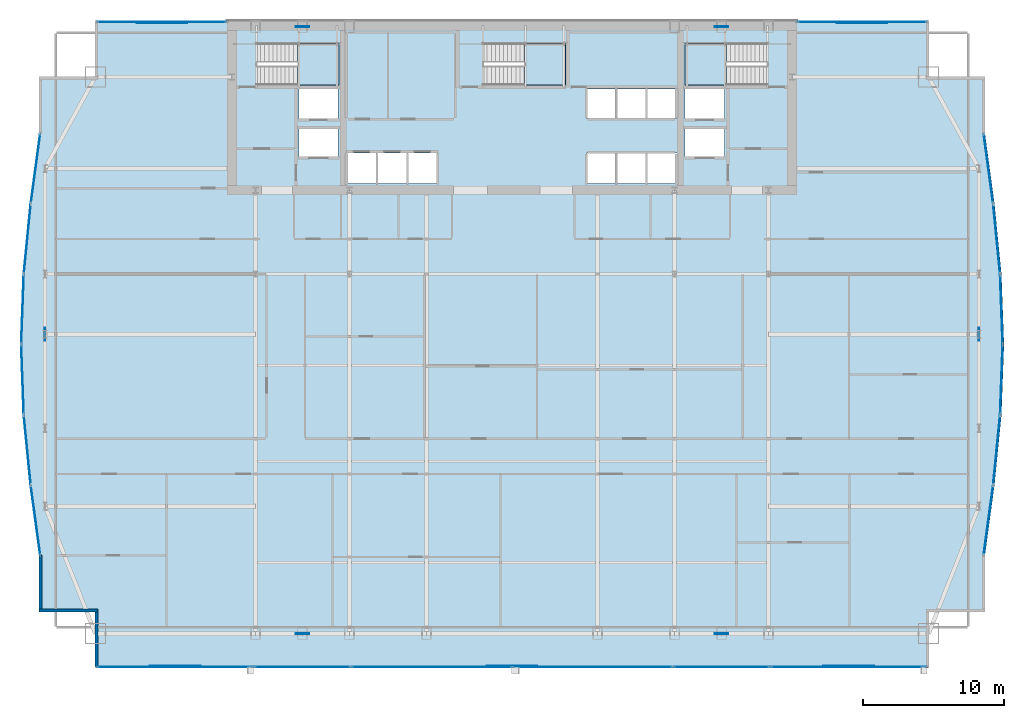
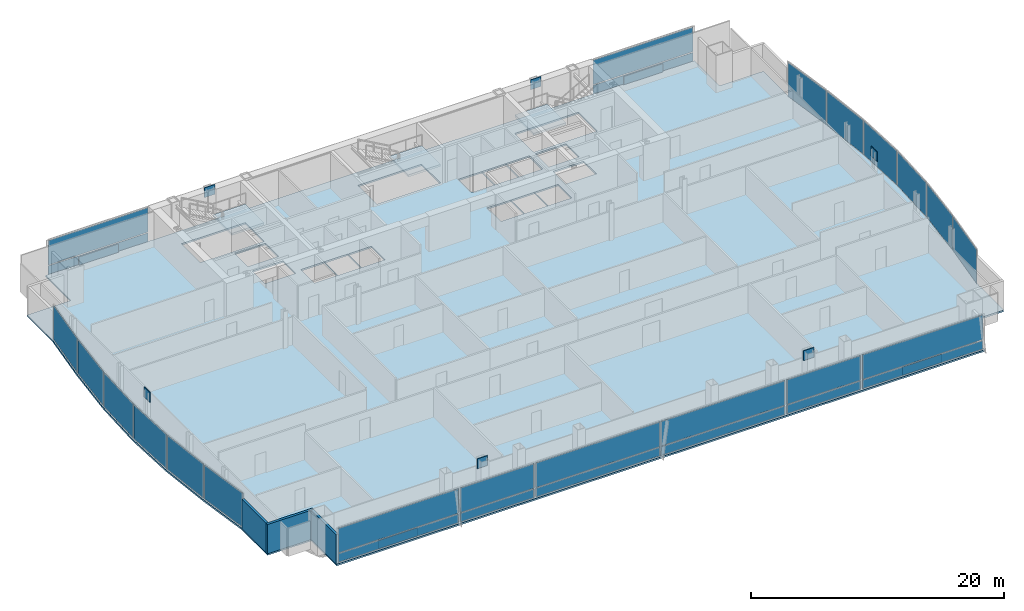
# One storey, part 25 of 32: 39 plates, 4 slabs, 3 walls, 22 elements without a shape of their own.
"""IFC4 building model written with IfcOpenShell, lengths in metres."""

from ifc_helpers import new_model, si_unit, direction, frame, frame_2d, origin, origin_2d, place, context, subcontext, project, spatial, polyline, rectangle, outline, extrude, material, layer, layer_set, type_object, element, aggregate, save


model = new_model("IFC4")

# Units and contexts
model_context = context("Model", 3, precision=1e-05, world=origin(), true_north=direction((0.0, 1.0)))
body_context = subcontext(model_context, "Body", "Model", "MODEL_VIEW")
ifc_project = project(units=[si_unit("LENGTHUNIT", "METRE"), si_unit("AREAUNIT", "SQUARE_METRE"), si_unit("VOLUMEUNIT", "CUBIC_METRE"), si_unit("PLANEANGLEUNIT", "RADIAN"), si_unit("MASSUNIT", "GRAM", prefix="KILO")], contexts=[model_context])

# Site, building, storey
site_placement = place(None, origin())
site = spatial("IfcSite", under=ifc_project, at=site_placement, CompositionType="ELEMENT")
building_placement = place(site_placement, origin())
building = spatial("IfcBuilding", under=site, at=building_placement, Name="Khoronbel Lancet Exchange", CompositionType="ELEMENT")
storey_placement = place(building_placement, frame((0.0, 0.0, 125.39990234375)))
storey = spatial("IfcBuildingStorey", under=building, at=storey_placement, Name="L30", CompositionType="ELEMENT", Elevation=125.39990234375)

# Curtain wall, plate
ifc_material_1 = material(Name="Low-E Solar Control Insulating Glass", Category="glass")
curtain_wall_type_1 = type_object("IfcCurtainWallType", Name="CW-4", PredefinedType="NOTDEFINED", material=ifc_material_1)
curtain_wall_1_placement = place(storey_placement, origin())
curtain_wall_1 = element("IfcCurtainWall", 1, at=curtain_wall_1_placement, inside=storey, type_object=curtain_wall_type_1, Name="Unitised curtain wall CW-L30-E05", PredefinedType="NOTDEFINED")
ifc_material_2 = material(Name="Bronze-Anodised Aluminium 6063-T6", Category="aluminium")
ifc_layer_1 = layer(ifc_material_2, 0.050048828125, Name="Bronze-Anodised Aluminium 6063-T6")
ifc_layer_set_1 = layer_set([ifc_layer_1], Name="Bronze-Anodised Aluminium 6063-T6")
plate_type_1 = type_object("IfcPlateType", Name="PLT-CSP1", PredefinedType="SHEET", material=ifc_layer_set_1)
plate_1_placement = place(storey_placement, frame((2.013916015625, 23.208251953125, 0.085205078125), z_axis=(0.0, 0.0, 1.0), x_axis=(-0.098742398922, 0.99511302808, 0.0)))
plate_1 = element("IfcPlate", 2, at=plate_1_placement, type_object=plate_type_1, Name="CW4 panel 1.1", PredefinedType="CURTAIN_PANEL", context=body_context, shape_type="SweptSolid", body=[
    extrude(rectangle(XDim=4.8701171875, YDim=0.0380859375, at=origin_2d()), origin(), (0.0, 0.0, 1.0), 3.27001953125),
])
aggregate(curtain_wall_1, [plate_1])

curtain_wall_2_placement = place(storey_placement, origin())
curtain_wall_2 = element("IfcCurtainWall", 3, at=curtain_wall_2_placement, inside=storey, type_object=curtain_wall_type_1, Name="Unitised curtain wall CW-L30-E06", PredefinedType="NOTDEFINED")
plate_2_placement = place(storey_placement, frame((1.67529296875, 28.203125, 0.085205078125), z_axis=(0.0, 0.0, 1.0), x_axis=(-0.036280390298, 0.999341649928, 0.0)))
plate_2 = element("IfcPlate", 4, at=plate_2_placement, type_object=plate_type_1, Name="CW4 panel 1.1", PredefinedType="CURTAIN_PANEL", context=body_context, shape_type="SweptSolid", body=[
    extrude(rectangle(XDim=4.84716796875, YDim=0.0380859375, at=origin_2d()), origin(), (0.0, 0.0, 1.0), 3.27001953125),
])
aggregate(curtain_wall_2, [plate_2])

curtain_wall_3_placement = place(storey_placement, origin())
curtain_wall_3 = element("IfcCurtainWall", 5, at=curtain_wall_3_placement, inside=storey, type_object=curtain_wall_type_1, Name="Unitised curtain wall CW-L30-E07", PredefinedType="NOTDEFINED")
plate_3_placement = place(storey_placement, frame((1.67529296875, 33.197021484375, 0.085205078125), z_axis=(0.0, 0.0, 1.0), x_axis=(0.036280390298, 0.999341649928, 0.0)))
plate_3 = element("IfcPlate", 6, at=plate_3_placement, type_object=plate_type_1, Name="CW4 panel 1.1", PredefinedType="CURTAIN_PANEL", context=body_context, shape_type="SweptSolid", body=[
    extrude(rectangle(XDim=4.84716796875, YDim=0.0380859375, at=origin_2d()), origin(), (0.0, 0.0, 1.0), 3.27001953125),
])
aggregate(curtain_wall_3, [plate_3])

curtain_wall_4_placement = place(storey_placement, origin())
curtain_wall_4 = element("IfcCurtainWall", 7, at=curtain_wall_4_placement, inside=storey, type_object=curtain_wall_type_1, Name="Unitised curtain wall CW-L30-E08", PredefinedType="NOTDEFINED")
plate_4_placement = place(storey_placement, frame((2.013916015625, 38.191650390625, 0.085205078125), z_axis=(0.0, 0.0, 1.0), x_axis=(0.098742398922, 0.99511302808, 0.0)))
plate_4 = element("IfcPlate", 8, at=plate_4_placement, type_object=plate_type_1, Name="CW4 panel 1.1", PredefinedType="CURTAIN_PANEL", context=body_context, shape_type="SweptSolid", body=[
    extrude(rectangle(XDim=4.8701171875, YDim=0.0380859375, at=origin_2d()), origin(), (0.0, 0.0, 1.0), 3.27001953125),
])
aggregate(curtain_wall_4, [plate_4])

curtain_wall_type_2 = type_object("IfcCurtainWallType", Name="CW-2", PredefinedType="NOTDEFINED", material=ifc_material_1)
curtain_wall_5_placement = place(storey_placement, origin())
curtain_wall_5 = element("IfcCurtainWall", 9, at=curtain_wall_5_placement, inside=storey, type_object=curtain_wall_type_2, Name="Unitised curtain wall CW-L30-NWFLK", PredefinedType="NOTDEFINED")
plate_5_placement = place(storey_placement, frame((11.580078125, 53.550048828125, 0.05029296875), z_axis=(0.0, 0.0, 1.0), x_axis=(-1.0, 0.0, 0.0)))
plate_5 = element("IfcPlate", 10, at=plate_5_placement, type_object=plate_type_1, Name="Insulated bronze spandrel cassette CW-L30-NWFLK", PredefinedType="SHEET", context=body_context, shape_type="SweptSolid", body=[
    extrude(rectangle(XDim=3.60009765625, YDim=0.050048828125, at=origin_2d()), origin(), (0.0, 0.0, 1.0), 0.800048828125),
])

curtain_wall_6_placement = place(storey_placement, origin())
curtain_wall_6 = element("IfcCurtainWall", 11, at=curtain_wall_6_placement, inside=storey, type_object=curtain_wall_type_2, Name="Unitised curtain wall CW-L30-NEFLK", PredefinedType="NOTDEFINED")
plate_6_placement = place(storey_placement, frame((61.320068359375, 53.550048828125, 0.05029296875), z_axis=(0.0, 0.0, 1.0), x_axis=(-1.0, 0.0, 0.0)))
plate_6 = element("IfcPlate", 12, at=plate_6_placement, type_object=plate_type_1, Name="Insulated bronze spandrel cassette CW-L30-NEFLK", PredefinedType="SHEET", context=body_context, shape_type="SweptSolid", body=[
    extrude(rectangle(XDim=3.60009765625, YDim=0.050048828125, at=origin_2d()), origin(), (0.0, 0.0, 1.0), 0.800048828125),
])

curtain_wall_7_placement = place(storey_placement, origin())
curtain_wall_7 = element("IfcCurtainWall", 13, at=curtain_wall_7_placement, inside=storey, type_object=curtain_wall_type_1, Name="Unitised curtain wall CW-L30-E18", PredefinedType="NOTDEFINED")
plate_7_placement = place(storey_placement, frame((70.88623046875, 38.191650390625, 0.085205078125), z_axis=(0.0, 0.0, 1.0), x_axis=(0.098742398922, -0.99511302808, 0.0)))
plate_7 = element("IfcPlate", 14, at=plate_7_placement, type_object=plate_type_1, Name="CW4 panel 1.1", PredefinedType="CURTAIN_PANEL", context=body_context, shape_type="SweptSolid", body=[
    extrude(rectangle(XDim=4.8701171875, YDim=0.0380859375, at=origin_2d()), origin(), (0.0, 0.0, 1.0), 3.27001953125),
])
aggregate(curtain_wall_7, [plate_7])

curtain_wall_8_placement = place(storey_placement, origin())
curtain_wall_8 = element("IfcCurtainWall", 15, at=curtain_wall_8_placement, inside=storey, type_object=curtain_wall_type_1, Name="Unitised curtain wall CW-L30-E19", PredefinedType="NOTDEFINED")
plate_8_placement = place(storey_placement, frame((71.224609375, 33.197021484375, 0.085205078125), z_axis=(0.0, 0.0, 1.0), x_axis=(0.036280390298, -0.999341649928, 0.0)))
plate_8 = element("IfcPlate", 16, at=plate_8_placement, type_object=plate_type_1, Name="CW4 panel 1.1", PredefinedType="CURTAIN_PANEL", context=body_context, shape_type="SweptSolid", body=[
    extrude(rectangle(XDim=4.84716796875, YDim=0.0380859375, at=origin_2d()), origin(), (0.0, 0.0, 1.0), 3.27001953125),
])
aggregate(curtain_wall_8, [plate_8])

curtain_wall_9_placement = place(storey_placement, origin())
curtain_wall_9 = element("IfcCurtainWall", 17, at=curtain_wall_9_placement, inside=storey, type_object=curtain_wall_type_1, Name="Unitised curtain wall CW-L30-E20", PredefinedType="NOTDEFINED")
plate_9_placement = place(storey_placement, frame((71.224609375, 28.203125, 0.085205078125), z_axis=(0.0, 0.0, 1.0), x_axis=(-0.036280390298, -0.999341649928, 0.0)))
plate_9 = element("IfcPlate", 18, at=plate_9_placement, type_object=plate_type_1, Name="CW4 panel 1.1", PredefinedType="CURTAIN_PANEL", context=body_context, shape_type="SweptSolid", body=[
    extrude(rectangle(XDim=4.84716796875, YDim=0.0380859375, at=origin_2d()), origin(), (0.0, 0.0, 1.0), 3.27001953125),
])
aggregate(curtain_wall_9, [plate_9])

curtain_wall_10_placement = place(storey_placement, origin())
curtain_wall_10 = element("IfcCurtainWall", 19, at=curtain_wall_10_placement, inside=storey, type_object=curtain_wall_type_1, Name="Unitised curtain wall CW-L30-E21", PredefinedType="NOTDEFINED")
plate_10_placement = place(storey_placement, frame((70.88623046875, 23.208251953125, 0.085205078125), z_axis=(0.0, 0.0, 1.0), x_axis=(-0.098742398922, -0.99511302808, 0.0)))
plate_10 = element("IfcPlate", 20, at=plate_10_placement, type_object=plate_type_1, Name="CW4 panel 1.1", PredefinedType="CURTAIN_PANEL", context=body_context, shape_type="SweptSolid", body=[
    extrude(rectangle(XDim=4.8701171875, YDim=0.0380859375, at=origin_2d()), origin(), (0.0, 0.0, 1.0), 3.27001953125),
])
aggregate(curtain_wall_10, [plate_10])

curtain_wall_11_placement = place(storey_placement, origin())
curtain_wall_11 = element("IfcCurtainWall", 21, at=curtain_wall_11_placement, inside=storey, type_object=curtain_wall_type_2, Name="Unitised curtain wall CW-L30-SWV", PredefinedType="NOTDEFINED")
plate_11_placement = place(storey_placement, frame((12.52001953125, 7.85009765625, 0.05029296875), z_axis=(0.0, 0.0, 1.0), x_axis=(1.0, 0.0, 0.0)))
plate_11 = element("IfcPlate", 22, at=plate_11_placement, type_object=plate_type_1, Name="Insulated bronze spandrel cassette CW-L30-SWV", PredefinedType="SHEET", context=body_context, shape_type="SweptSolid", body=[
    extrude(rectangle(XDim=3.60009765625, YDim=0.050048828125, at=origin_2d()), origin(), (0.0, 0.0, 1.0), 0.800048828125),
])

# Curtain wall, plates
curtain_wall_12_placement = place(storey_placement, origin())
curtain_wall_12 = element("IfcCurtainWall", 23, at=curtain_wall_12_placement, inside=storey, type_object=curtain_wall_type_2, Name="Unitised curtain wall CW-L30-SWB", PredefinedType="NOTDEFINED")
plate_12_placement = place(storey_placement, frame((21.550048828125, 7.7900390625, 0.0849609375), z_axis=(0.0, 0.0, 1.0), x_axis=(1.0, 0.0, 0.0)))
plate_12 = element("IfcPlate", 24, at=plate_12_placement, type_object=plate_type_1, Name="CW2 panel 1.1", PredefinedType="CURTAIN_PANEL", context=body_context, shape_type="SweptSolid", body=[
    extrude(rectangle(XDim=6.72998046875, YDim=0.0380859375, at=origin_2d()), origin(), (0.0, 0.0, 1.0), 0.822509765625),
])
plate_13_placement = place(storey_placement, frame((21.550048828125, 7.7900390625, 0.99267578125), z_axis=(0.0, 0.0, 1.0), x_axis=(1.0, 0.0, 0.0)))
plate_13 = element("IfcPlate", 25, at=plate_13_placement, type_object=plate_type_1, Name="CW2 panel 1.2", PredefinedType="CURTAIN_PANEL", context=body_context, shape_type="SweptSolid", body=[
    extrude(rectangle(XDim=6.72998046875, YDim=0.0380859375, at=origin_2d()), origin(), (0.0, 0.0, 1.0), 2.362548828125),
])
aggregate(curtain_wall_12, [plate_12, plate_13])

# Curtain wall, plate
curtain_wall_13_placement = place(storey_placement, origin())
curtain_wall_13 = element("IfcCurtainWall", 26, at=curtain_wall_13_placement, inside=storey, type_object=curtain_wall_type_2, Name="Unitised curtain wall CW-L30-SCV", PredefinedType="NOTDEFINED")
plate_14_placement = place(storey_placement, frame((36.449951171875, 7.85009765625, 0.05029296875), z_axis=(0.0, 0.0, 1.0), x_axis=(1.0, 0.0, 0.0)))
plate_14 = element("IfcPlate", 27, at=plate_14_placement, type_object=plate_type_1, Name="Insulated bronze spandrel cassette CW-L30-SCV", PredefinedType="SHEET", context=body_context, shape_type="SweptSolid", body=[
    extrude(rectangle(XDim=3.60009765625, YDim=0.050048828125, at=origin_2d()), origin(), (0.0, 0.0, 1.0), 0.800048828125),
])

# Curtain wall, plates
curtain_wall_14_placement = place(storey_placement, origin())
curtain_wall_14 = element("IfcCurtainWall", 28, at=curtain_wall_14_placement, inside=storey, type_object=curtain_wall_type_2, Name="Unitised curtain wall CW-L30-SEB", PredefinedType="NOTDEFINED")
plate_15_placement = place(storey_placement, frame((51.35009765625, 7.7900390625, 0.0849609375), z_axis=(0.0, 0.0, 1.0), x_axis=(1.0, 0.0, 0.0)))
plate_15 = element("IfcPlate", 29, at=plate_15_placement, type_object=plate_type_1, Name="CW2 panel 1.1", PredefinedType="CURTAIN_PANEL", context=body_context, shape_type="SweptSolid", body=[
    extrude(rectangle(XDim=6.72998046875, YDim=0.0380859375, at=origin_2d()), origin(), (0.0, 0.0, 1.0), 0.822509765625),
])
plate_16_placement = place(storey_placement, frame((51.35009765625, 7.7900390625, 0.99267578125), z_axis=(0.0, 0.0, 1.0), x_axis=(1.0, 0.0, 0.0)))
plate_16 = element("IfcPlate", 30, at=plate_16_placement, type_object=plate_type_1, Name="CW2 panel 1.2", PredefinedType="CURTAIN_PANEL", context=body_context, shape_type="SweptSolid", body=[
    extrude(rectangle(XDim=6.72998046875, YDim=0.0380859375, at=origin_2d()), origin(), (0.0, 0.0, 1.0), 2.362548828125),
])
aggregate(curtain_wall_14, [plate_15, plate_16])

# Curtain wall, plate
curtain_wall_15_placement = place(storey_placement, origin())
curtain_wall_15 = element("IfcCurtainWall", 31, at=curtain_wall_15_placement, inside=storey, type_object=curtain_wall_type_2, Name="Unitised curtain wall CW-L30-SEV", PredefinedType="NOTDEFINED")
plate_17_placement = place(storey_placement, frame((60.3798828125, 7.85009765625, 0.05029296875), z_axis=(0.0, 0.0, 1.0), x_axis=(1.0, 0.0, 0.0)))
plate_17 = element("IfcPlate", 32, at=plate_17_placement, type_object=plate_type_1, Name="Insulated bronze spandrel cassette CW-L30-SEV", PredefinedType="SHEET", context=body_context, shape_type="SweptSolid", body=[
    extrude(rectangle(XDim=3.60009765625, YDim=0.050048828125, at=origin_2d()), origin(), (0.0, 0.0, 1.0), 0.800048828125),
])

# Plate
ifc_layer_2 = layer(ifc_material_1, 0.035888671875, Name="Low-E Solar Control Insulating Glass")
ifc_layer_set_2 = layer_set([ifc_layer_2], Name="Low-E Solar Control Insulating Glass")
plate_type_2 = type_object("IfcPlateType", Name="PLT-CWP1", PredefinedType="CURTAIN_PANEL", material=ifc_layer_set_2)
plate_18_placement = place(storey_placement, frame((11.580078125, 53.610107421875, 0.0849609375), z_axis=(0.0, 0.0, 1.0), x_axis=(-1.0, 0.0, 0.0)))
plate_18 = element("IfcPlate", 33, at=plate_18_placement, type_object=plate_type_2, Name="CW2 panel 1.1", PredefinedType="CURTAIN_PANEL", context=body_context, shape_type="SweptSolid", body=[
    extrude(rectangle(XDim=9.110107421875, YDim=0.0380859375, at=origin_2d()), origin(), (0.0, 0.0, 1.0), 0.822509765625),
])

plate_19_placement = place(storey_placement, frame((11.580078125, 53.610107421875, 0.99267578125), z_axis=(0.0, 0.0, 1.0), x_axis=(-1.0, 0.0, 0.0)))
plate_19 = element("IfcPlate", 34, at=plate_19_placement, type_object=plate_type_2, Name="CW2 panel 1.2", PredefinedType="CURTAIN_PANEL", context=body_context, shape_type="SweptSolid", body=[
    extrude(rectangle(XDim=9.110107421875, YDim=0.0380859375, at=origin_2d()), origin(), (0.0, 0.0, 1.0), 2.362548828125),
])

aggregate(curtain_wall_5, [plate_18, plate_19, plate_5])

plate_20_placement = place(storey_placement, frame((61.320068359375, 53.610107421875, 0.0849609375), z_axis=(0.0, 0.0, 1.0), x_axis=(-1.0, 0.0, 0.0)))
plate_20 = element("IfcPlate", 35, at=plate_20_placement, type_object=plate_type_2, Name="CW2 panel 1.1", PredefinedType="CURTAIN_PANEL", context=body_context, shape_type="SweptSolid", body=[
    extrude(rectangle(XDim=9.110107421875, YDim=0.0380859375, at=origin_2d()), origin(), (0.0, 0.0, 1.0), 0.822509765625),
])

plate_21_placement = place(storey_placement, frame((61.320068359375, 53.610107421875, 0.99267578125), z_axis=(0.0, 0.0, 1.0), x_axis=(-1.0, 0.0, 0.0)))
plate_21 = element("IfcPlate", 36, at=plate_21_placement, type_object=plate_type_2, Name="CW2 panel 1.2", PredefinedType="CURTAIN_PANEL", context=body_context, shape_type="SweptSolid", body=[
    extrude(rectangle(XDim=9.110107421875, YDim=0.0380859375, at=origin_2d()), origin(), (0.0, 0.0, 1.0), 2.362548828125),
])

aggregate(curtain_wall_6, [plate_20, plate_21, plate_6])

plate_22_placement = place(storey_placement, frame((12.52001953125, 7.7900390625, 0.0849609375), z_axis=(0.0, 0.0, 1.0), x_axis=(1.0, 0.0, 0.0)))
plate_22 = element("IfcPlate", 37, at=plate_22_placement, type_object=plate_type_2, Name="CW2 panel 1.1", PredefinedType="CURTAIN_PANEL", context=body_context, shape_type="SweptSolid", body=[
    extrude(rectangle(XDim=10.989990234375, YDim=0.0380859375, at=origin_2d()), origin(), (0.0, 0.0, 1.0), 0.822509765625),
])

plate_23_placement = place(storey_placement, frame((12.52001953125, 7.7900390625, 0.99267578125), z_axis=(0.0, 0.0, 1.0), x_axis=(1.0, 0.0, 0.0)))
plate_23 = element("IfcPlate", 38, at=plate_23_placement, type_object=plate_type_2, Name="CW2 panel 1.2", PredefinedType="CURTAIN_PANEL", context=body_context, shape_type="SweptSolid", body=[
    extrude(rectangle(XDim=10.989990234375, YDim=0.0380859375, at=origin_2d()), origin(), (0.0, 0.0, 1.0), 2.362548828125),
])

aggregate(curtain_wall_11, [plate_22, plate_23, plate_11])

plate_24_placement = place(storey_placement, frame((30.746337890625, 7.7900390625, 0.0849609375), z_axis=(0.0, 0.0, 1.0), x_axis=(1.0, 0.0, 0.0)))
plate_24 = element("IfcPlate", 39, at=plate_24_placement, type_object=plate_type_2, Name="CW2 panel 1.1", PredefinedType="CURTAIN_PANEL", context=body_context, shape_type="SweptSolid", body=[
    extrude(rectangle(XDim=11.322509765625, YDim=0.0380859375, at=origin_2d()), origin(), (0.0, 0.0, 1.0), 0.822509765625),
])

plate_25_placement = place(storey_placement, frame((30.746337890625, 7.7900390625, 0.99267578125), z_axis=(0.0, 0.0, 1.0), x_axis=(1.0, 0.0, 0.0)))
plate_25 = element("IfcPlate", 40, at=plate_25_placement, type_object=plate_type_2, Name="CW2 panel 1.2", PredefinedType="CURTAIN_PANEL", context=body_context, shape_type="SweptSolid", body=[
    extrude(rectangle(XDim=11.322509765625, YDim=0.0380859375, at=origin_2d()), origin(), (0.0, 0.0, 1.0), 2.362548828125),
])

plate_26_placement = place(storey_placement, frame((42.15380859375, 7.7900390625, 0.0849609375), z_axis=(0.0, 0.0, 1.0), x_axis=(1.0, 0.0, 0.0)))
plate_26 = element("IfcPlate", 41, at=plate_26_placement, type_object=plate_type_2, Name="CW2 panel 2.1", PredefinedType="CURTAIN_PANEL", context=body_context, shape_type="SweptSolid", body=[
    extrude(rectangle(XDim=11.322509765625, YDim=0.0380859375, at=origin_2d()), origin(), (0.0, 0.0, 1.0), 0.822509765625),
])

plate_27_placement = place(storey_placement, frame((42.15380859375, 7.7900390625, 0.99267578125), z_axis=(0.0, 0.0, 1.0), x_axis=(1.0, 0.0, 0.0)))
plate_27 = element("IfcPlate", 42, at=plate_27_placement, type_object=plate_type_2, Name="CW2 panel 2.2", PredefinedType="CURTAIN_PANEL", context=body_context, shape_type="SweptSolid", body=[
    extrude(rectangle(XDim=11.322509765625, YDim=0.0380859375, at=origin_2d()), origin(), (0.0, 0.0, 1.0), 2.362548828125),
])

aggregate(curtain_wall_13, [plate_24, plate_25, plate_26, plate_27, plate_14])

plate_28_placement = place(storey_placement, frame((60.3798828125, 7.7900390625, 0.0849609375), z_axis=(0.0, 0.0, 1.0), x_axis=(1.0, 0.0, 0.0)))
plate_28 = element("IfcPlate", 43, at=plate_28_placement, type_object=plate_type_2, Name="CW2 panel 1.1", PredefinedType="CURTAIN_PANEL", context=body_context, shape_type="SweptSolid", body=[
    extrude(rectangle(XDim=10.989990234375, YDim=0.0380859375, at=origin_2d()), origin(), (0.0, 0.0, 1.0), 0.822509765625),
])

plate_29_placement = place(storey_placement, frame((60.3798828125, 7.7900390625, 0.99267578125), z_axis=(0.0, 0.0, 1.0), x_axis=(1.0, 0.0, 0.0)))
plate_29 = element("IfcPlate", 44, at=plate_29_placement, type_object=plate_type_2, Name="CW2 panel 1.2", PredefinedType="CURTAIN_PANEL", context=body_context, shape_type="SweptSolid", body=[
    extrude(rectangle(XDim=10.989990234375, YDim=0.0380859375, at=origin_2d()), origin(), (0.0, 0.0, 1.0), 2.362548828125),
])

aggregate(curtain_wall_15, [plate_28, plate_29, plate_17])

# Curtain wall, plate
curtain_wall_16_placement = place(storey_placement, origin())
curtain_wall_16 = element("IfcCurtainWall", 45, at=curtain_wall_16_placement, inside=storey, type_object=curtain_wall_type_1, Name="Unitised curtain wall CW-L30-E04", PredefinedType="NOTDEFINED")
ifc_material_3 = material(Name="Ceramic-Fritted Laminated Insulating Glass", Category="glass")
ifc_layer_3 = layer(ifc_material_3, 0.0419921875, Name="Ceramic-Fritted Laminated Insulating Glass")
ifc_layer_set_3 = layer_set([ifc_layer_3], Name="Ceramic-Fritted Laminated Insulating Glass")
plate_type_3 = type_object("IfcPlateType", Name="PLT-CWP2", PredefinedType="CURTAIN_PANEL", material=ifc_layer_set_3)
plate_30_placement = place(storey_placement, frame((2.600830078125, 18.208251953125, 0.085205078125), z_axis=(0.0, 0.0, 1.0), x_axis=(-0.134312591445, 0.990939013148, 0.0)))
plate_30 = element("IfcPlate", 46, at=plate_30_placement, type_object=plate_type_3, Name="CW4 panel 1.1", PredefinedType="CURTAIN_PANEL", context=body_context, shape_type="SweptSolid", body=[
    extrude(rectangle(XDim=4.900146484375, YDim=0.0380859375, at=origin_2d()), origin(), (0.0, 0.0, 1.0), 3.27001953125),
])
aggregate(curtain_wall_16, [plate_30])

curtain_wall_17_placement = place(storey_placement, origin())
curtain_wall_17 = element("IfcCurtainWall", 47, at=curtain_wall_17_placement, inside=storey, type_object=curtain_wall_type_1, Name="Unitised curtain wall CW-L30-E09", PredefinedType="NOTDEFINED")
plate_31_placement = place(storey_placement, frame((2.600830078125, 43.191650390625, 0.085205078125), z_axis=(0.0, 0.0, 1.0), x_axis=(0.134312591445, 0.990939013148, 0.0)))
plate_31 = element("IfcPlate", 48, at=plate_31_placement, type_object=plate_type_3, Name="CW4 panel 1.1", PredefinedType="CURTAIN_PANEL", context=body_context, shape_type="SweptSolid", body=[
    extrude(rectangle(XDim=4.900146484375, YDim=0.0380859375, at=origin_2d()), origin(), (0.0, 0.0, 1.0), 3.27001953125),
])
aggregate(curtain_wall_17, [plate_31])

curtain_wall_18_placement = place(storey_placement, origin())
curtain_wall_18 = element("IfcCurtainWall", 49, at=curtain_wall_18_placement, inside=storey, type_object=curtain_wall_type_1, Name="Unitised curtain wall CW-L30-E17", PredefinedType="NOTDEFINED")
plate_32_placement = place(storey_placement, frame((70.299072265625, 43.191650390625, 0.085205078125), z_axis=(0.0, 0.0, 1.0), x_axis=(0.134312591445, -0.990939013148, 0.0)))
plate_32 = element("IfcPlate", 50, at=plate_32_placement, type_object=plate_type_3, Name="CW4 panel 1.1", PredefinedType="CURTAIN_PANEL", context=body_context, shape_type="SweptSolid", body=[
    extrude(rectangle(XDim=4.900146484375, YDim=0.0380859375, at=origin_2d()), origin(), (0.0, 0.0, 1.0), 3.27001953125),
])
aggregate(curtain_wall_18, [plate_32])

curtain_wall_19_placement = place(storey_placement, origin())
curtain_wall_19 = element("IfcCurtainWall", 51, at=curtain_wall_19_placement, inside=storey, type_object=curtain_wall_type_1, Name="Unitised curtain wall CW-L30-E22", PredefinedType="NOTDEFINED")
plate_33_placement = place(storey_placement, frame((70.299072265625, 18.208251953125, 0.085205078125), z_axis=(0.0, 0.0, 1.0), x_axis=(-0.134312591445, -0.990939013148, 0.0)))
plate_33 = element("IfcPlate", 52, at=plate_33_placement, type_object=plate_type_3, Name="CW4 panel 1.1", PredefinedType="CURTAIN_PANEL", context=body_context, shape_type="SweptSolid", body=[
    extrude(rectangle(XDim=4.900146484375, YDim=0.0380859375, at=origin_2d()), origin(), (0.0, 0.0, 1.0), 3.27001953125),
])
aggregate(curtain_wall_19, [plate_33])

# Plates
ifc_material_4 = material(Name="Steel S460", Category="steel")
ifc_layer_4 = layer(ifc_material_4, 0.06005859375, Name="Steel S460")
ifc_layer_set_4 = layer_set([ifc_layer_4], Name="Steel S460")
plate_type_4 = type_object("IfcPlateType", Name="PLT-ND1", PredefinedType="USERDEFINED", material=ifc_layer_set_4)
for number, where, z_axis, x_axis, name in (
    (53, (21.5625, 10.14990234375, 2.77490234375), (0.0, 0.0, 1.0), (1.0, 0.0, 0.0), "ND1 perimeter brace node gusset T09-S-W"),
    (54, (51.33740234375, 10.14990234375, 2.77490234375), (0.0, 0.0, 1.0), (1.0, 0.0, 0.0), "ND1 perimeter brace node gusset T09-S-E"),
    (55, (21.5625, 53.280029296875, 2.77490234375), (0.0, 0.0, 1.0), (1.0, 0.0, 0.0), "ND1 perimeter brace node gusset T09-N-W"),
    (56, (51.33740234375, 53.280029296875, 2.77490234375), (0.0, 0.0, 1.0), (1.0, 0.0, 0.0), "ND1 perimeter brace node gusset T09-N-E"),
    (57, (3.27001953125, 31.425048828125, 2.77490234375), (0.0, 0.0, 1.0), (0.0, 1.0, 0.0), "ND1 perimeter brace node gusset T09-W-P"),
    (58, (69.6298828125, 31.425048828125, 2.77490234375), (0.0, 0.0, 1.0), (0.0, 1.0, 0.0), "ND1 perimeter brace node gusset T09-E-P"),
):
    element("IfcPlate", number, at=place(storey_placement, frame(where, z_axis=z_axis, x_axis=x_axis)), inside=storey, type_object=plate_type_4, Name=name, ObjectType="GUSSET_PLATE", PredefinedType="USERDEFINED", context=body_context, shape_type="SweptSolid", body=[
        extrude(rectangle(XDim=0.949951171875, YDim=0.06005859375, at=origin_2d()), origin(), (0.0, 0.0, 1.0), 0.949951171875),
    ])

# Slab
ifc_material_5 = material(Name="Concrete C40/50", Category="concrete")
ifc_layer_5 = layer(ifc_material_5, 0.159912109375, Name="Concrete C40/50")
ifc_layer_set_5 = layer_set([ifc_layer_5], Name="Concrete C40/50")
slab_type_1 = type_object("IfcSlabType", Name="SL-FL160", PredefinedType="FLOOR", material=ifc_layer_set_5)
slab_1_placement = place(storey_placement, frame((0.0, 0.0, -0.159912109375)))
element("IfcSlab", 59, at=slab_1_placement, inside=storey, type_object=slab_type_1, Name="Level L30 composite structural floor slab", PredefinedType="FLOOR", context=body_context, shape_type="SweptSolid", body=[
    extrude(outline(polyline([(6.85009765625, 7.699951171875), (66.050048828125, 7.699951171875), (66.050048828125, 11.699951171875), (70.050048828125, 11.699951171875), (70.050048828125, 15.699951171875), (70.727783203125, 20.699951171875), (71.223876953125, 25.699951171875), (71.405517578125, 30.699951171875), (71.223876953125, 35.699951171875), (70.727783203125, 40.699951171875), (70.050048828125, 45.699951171875), (70.050048828125, 49.699951171875), (66.050048828125, 49.699951171875), (66.050048828125, 53.699951171875), (6.85009765625, 53.699951171875), (6.85009765625, 49.699951171875), (2.85009765625, 49.699951171875), (2.85009765625, 45.699951171875), (2.17236328125, 40.699951171875), (1.67626953125, 35.699951171875), (1.49462890625, 30.699951171875), (1.67626953125, 25.699951171875), (2.17236328125, 20.699951171875), (2.85009765625, 15.699951171875), (2.85009765625, 11.699951171875), (6.85009765625, 11.699951171875), (6.85009765625, 7.699951171875)]), holes=[polyline([(18.324951171875, 49.1201171875), (24.14990234375, 49.1201171875), (24.14990234375, 52.10009765625), (18.324951171875, 52.10009765625), (18.324951171875, 49.1201171875)]), polyline([(48.75, 49.1201171875), (54.574951171875, 49.1201171875), (54.574951171875, 52.10009765625), (48.75, 52.10009765625), (48.75, 49.1201171875)]), polyline([(34.425048828125, 49.1201171875), (40.25, 49.1201171875), (40.25, 52.10009765625), (34.425048828125, 52.10009765625), (34.425048828125, 49.1201171875)]), polyline([(24.699951171875, 42.14990234375), (26.840087890625, 42.14990234375), (26.840087890625, 44.300048828125), (24.699951171875, 44.300048828125), (24.699951171875, 42.14990234375)]), polyline([(26.860107421875, 42.14990234375), (29.0, 42.14990234375), (29.0, 44.300048828125), (26.860107421875, 44.300048828125), (26.860107421875, 42.14990234375)]), polyline([(29.02001953125, 42.14990234375), (31.159912109375, 42.14990234375), (31.159912109375, 44.300048828125), (29.02001953125, 44.300048828125), (29.02001953125, 42.14990234375)]), polyline([(41.739990234375, 46.75), (43.8798828125, 46.75), (43.8798828125, 48.85009765625), (41.739990234375, 48.85009765625), (41.739990234375, 46.75)]), polyline([(43.89990234375, 46.75), (46.0400390625, 46.75), (46.0400390625, 48.85009765625), (43.89990234375, 48.85009765625), (43.89990234375, 46.75)]), polyline([(46.06005859375, 46.75), (48.199951171875, 46.75), (48.199951171875, 48.85009765625), (46.06005859375, 48.85009765625), (46.06005859375, 46.75)]), polyline([(41.739990234375, 42.14990234375), (43.8798828125, 42.14990234375), (43.8798828125, 44.300048828125), (41.739990234375, 44.300048828125), (41.739990234375, 42.14990234375)]), polyline([(43.89990234375, 42.14990234375), (46.0400390625, 42.14990234375), (46.0400390625, 44.300048828125), (43.89990234375, 44.300048828125), (43.89990234375, 42.14990234375)]), polyline([(46.06005859375, 42.14990234375), (48.199951171875, 42.14990234375), (48.199951171875, 44.300048828125), (46.06005859375, 44.300048828125), (46.06005859375, 42.14990234375)]), polyline([(21.300048828125, 46.75), (24.10009765625, 46.75), (24.10009765625, 48.85009765625), (21.300048828125, 48.85009765625), (21.300048828125, 46.75)]), polyline([(48.75, 46.75), (51.550048828125, 46.75), (51.550048828125, 48.85009765625), (48.75, 48.85009765625), (48.75, 46.75)]), polyline([(21.300048828125, 44.050048828125), (24.10009765625, 44.050048828125), (24.10009765625, 46.050048828125), (21.300048828125, 46.050048828125), (21.300048828125, 44.050048828125)]), polyline([(48.75, 44.050048828125), (51.550048828125, 44.050048828125), (51.550048828125, 46.050048828125), (48.75, 46.050048828125), (48.75, 44.050048828125)])]), origin(), (0.0, 0.0, 1.0), 0.159912109375),
])

# Stair, slab
stair_type = type_object("IfcStairType", Name="STR-CORE150", PredefinedType="HALF_TURN_STAIR", material=ifc_material_5)
stair_1_placement = place(storey_placement, origin())
stair_1 = element("IfcStair", 60, at=stair_1_placement, inside=storey, type_object=stair_type, Name="L30 Protected Exit Stair ST1", PredefinedType="HALF_TURN_STAIR")
ifc_layer_6 = layer(ifc_material_5, 0.199951171875, Name="Concrete C40/50")
ifc_layer_set_6 = layer_set([ifc_layer_6], Name="Concrete C40/50")
slab_type_2 = type_object("IfcSlabType", Name="SL-LND180", PredefinedType="LANDING", material=ifc_layer_set_6)
slab_2_placement = place(storey_placement, frame((0.0, 0.0, 1.60009765625)))
slab_2 = element("IfcSlab", 61, at=slab_2_placement, type_object=slab_type_2, Name="ST1 landing 1", PredefinedType="LANDING", context=body_context, shape_type="SweptSolid", body=[
    extrude(outline(polyline([(21.199951171875, 49.1201171875), (24.14990234375, 49.1201171875), (24.14990234375, 52.10009765625), (21.199951171875, 52.10009765625), (21.199951171875, 49.1201171875)])), origin(), (0.0, 0.0, 1.0), 0.199951171875),
])
aggregate(stair_1, [slab_2])

stair_2_placement = place(storey_placement, origin())
stair_2 = element("IfcStair", 62, at=stair_2_placement, inside=storey, type_object=stair_type, Name="L30 Protected Exit Stair ST2", PredefinedType="HALF_TURN_STAIR")
slab_3_placement = place(storey_placement, frame((0.0, 0.0, 1.60009765625)))
slab_3 = element("IfcSlab", 63, at=slab_3_placement, type_object=slab_type_2, Name="ST2 landing 1", PredefinedType="LANDING", context=body_context, shape_type="SweptSolid", body=[
    extrude(outline(polyline([(51.699951171875, 52.10009765625), (48.75, 52.10009765625), (48.75, 49.1201171875), (51.699951171875, 49.1201171875), (51.699951171875, 52.10009765625)])), origin(), (0.0, 0.0, 1.0), 0.199951171875),
])
aggregate(stair_2, [slab_3])

stair_3_placement = place(storey_placement, origin())
stair_3 = element("IfcStair", 64, at=stair_3_placement, inside=storey, type_object=stair_type, Name="L30 Protected Exit Stair ST3", PredefinedType="HALF_TURN_STAIR")
slab_4_placement = place(storey_placement, frame((0.0, 0.0, 1.60009765625)))
slab_4 = element("IfcSlab", 65, at=slab_4_placement, type_object=slab_type_2, Name="ST3 landing 1", PredefinedType="LANDING", context=body_context, shape_type="SweptSolid", body=[
    extrude(outline(polyline([(37.300048828125, 49.1201171875), (40.25, 49.1201171875), (40.25, 52.10009765625), (37.300048828125, 52.10009765625), (37.300048828125, 49.1201171875)])), origin(), (0.0, 0.0, 1.0), 0.199951171875),
])
aggregate(stair_3, [slab_4])

# Walls
ifc_material_6 = material(Name="Precast concrete C40/50", Category="concrete")
ifc_layer_7 = layer(ifc_material_6, 0.25, Name="Precast concrete C40/50")
ifc_layer_set_7 = layer_set([ifc_layer_7], Name="Precast concrete C40/50")
wall_type = type_object("IfcWallType", Name="WL-EXT250", PredefinedType="SOLIDWALL", material=ifc_layer_set_7)
wall_1_placement = place(storey_placement, frame((6.93994140625, 7.77001953125, 0.0), z_axis=(0.0, 0.0, 1.0), x_axis=(0.0, 1.0, 0.0)))
element("IfcWall", 66, at=wall_1_placement, inside=storey, type_object=wall_type, Name="Level L30 notched-corner limestone pier 01", PredefinedType="SOLIDWALL", context=body_context, shape_type="SweptSolid", body=[
    extrude(rectangle(XDim=3.909912109375, YDim=0.219970703125, at=frame_2d((1.955078125, 0.0))), origin(), (0.0, 0.0, 1.0), 2.830078125),
])
wall_2_placement = place(storey_placement, frame((7.050048828125, 11.7900390625, 0.0), z_axis=(0.0, 0.0, 1.0), x_axis=(-1.0, 0.0, 0.0)))
element("IfcWall", 67, at=wall_2_placement, inside=storey, type_object=wall_type, Name="Level L30 notched-corner limestone pier 02", PredefinedType="SOLIDWALL", context=body_context, shape_type="SweptSolid", body=[
    extrude(rectangle(XDim=4.219970703125, YDim=0.219970703125, at=frame_2d((2.10986328125, 0.0))), origin(), (0.0, 0.0, 1.0), 2.830078125),
])
wall_3_placement = place(storey_placement, frame((2.93994140625, 11.89990234375, 0.0), z_axis=(0.0, 0.0, 1.0), x_axis=(0.0, 1.0, 0.0)))
element("IfcWall", 68, at=wall_3_placement, inside=storey, type_object=wall_type, Name="Level L30 notched-corner limestone pier 03", PredefinedType="SOLIDWALL", context=body_context, shape_type="SweptSolid", body=[
    extrude(rectangle(XDim=3.826171875, YDim=0.219970703125, at=frame_2d((1.9130859375, 0.0))), origin(), (0.0, 0.0, 1.0), 2.830078125),
])

save(model, "model.ifc")
